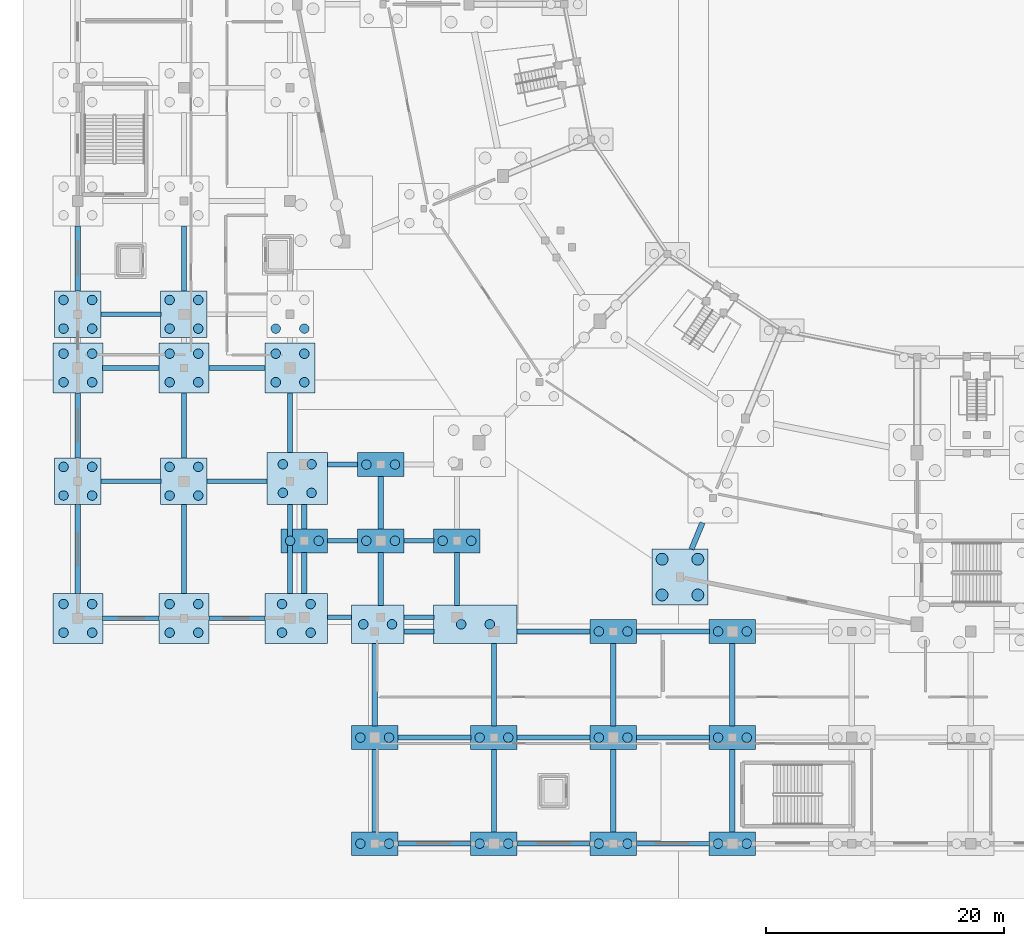
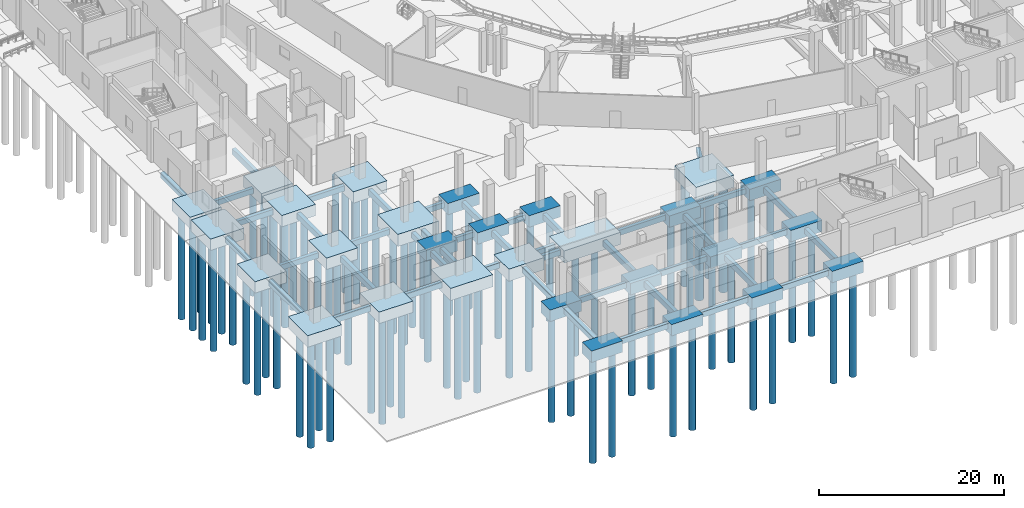
# One storey, part 1 of 68: 82 piles, 71 footings.
"""IFC4 building model written with IfcOpenShell, lengths in metres."""

from ifc_helpers import new_model, si_unit, direction, frame, origin, origin_2d, place, context, subcontext, project, spatial, rectangle, circle, extrude, material, material_profile, profile_set, type_object, element, save


model = new_model("IFC4")

# Units and contexts
model_context = context("Model", 3, precision=1e-05, world=origin(), true_north=direction((0.0, 1.0)))
body_context = subcontext(model_context, "Body", "Model", "MODEL_VIEW")
ifc_project = project(units=[si_unit("LENGTHUNIT", "METRE"), si_unit("AREAUNIT", "SQUARE_METRE"), si_unit("VOLUMEUNIT", "CUBIC_METRE"), si_unit("PLANEANGLEUNIT", "RADIAN"), si_unit("MASSUNIT", "GRAM", prefix="KILO")], contexts=[model_context])

# Site, building, storey
site_placement = place(None, origin())
site = spatial("IfcSite", under=ifc_project, at=site_placement, CompositionType="ELEMENT")
building_placement = place(site_placement, origin())
building = spatial("IfcBuilding", under=site, at=building_placement, Name="Candeia Ridge Stadium", CompositionType="ELEMENT")
storey_placement = place(building_placement, origin())
storey = spatial("IfcBuildingStorey", under=building, at=storey_placement, Name="L00", CompositionType="ELEMENT", Elevation=0.0)

# Piles
ifc_material = material(Name="Concrete C40/50", Category="concrete")
ifc_material_profile_1 = material_profile(ifc_material, circle(Radius=0.5, at=origin_2d()), Name="PILE-D1000", Category="concrete")
ifc_profile_set_1 = profile_set([ifc_material_profile_1], Name="Concrete C40/50")
pile_type_1 = type_object("IfcPileType", Name="Bored Concrete Pile D1000", PredefinedType="BORED", material=ifc_profile_set_1)
for number, where, z_axis, x_axis, name in (
    (1, (49.6005859375, 21.458251953125, -1.39990234375), (0.0, 0.0, -1.0), (1.0, 0.0, 0.0), "Bored concrete foundation pile PILE-0241"),
    (2, (52.6005859375, 21.458251953125, -1.39990234375), (0.0, 0.0, -1.0), (1.0, 0.0, 0.0), "Bored concrete foundation pile PILE-0242"),
    (3, (49.6005859375, 24.458251953125, -1.39990234375), (0.0, 0.0, -1.0), (1.0, 0.0, 0.0), "Bored concrete foundation pile PILE-0243"),
    (4, (52.6005859375, 24.458251953125, -1.39990234375), (0.0, 0.0, -1.0), (1.0, 0.0, 0.0), "Bored concrete foundation pile PILE-0244"),
):
    element("IfcPile", number, at=place(storey_placement, frame(where, z_axis=z_axis, x_axis=x_axis)), inside=storey, type_object=pile_type_1, Name=name, PredefinedType="BORED", context=body_context, shape_type="SweptSolid", body=[
        extrude(circle(Radius=0.5, at=origin_2d()), origin(), (0.0, 0.0, 1.0), 14.0),
    ])
ifc_material_profile_2 = material_profile(ifc_material, circle(Radius=0.39990234375, at=origin_2d()), Name="PILE-D800", Category="concrete")
ifc_profile_set_2 = profile_set([ifc_material_profile_2], Name="Concrete C40/50")
pile_type_2 = type_object("IfcPileType", Name="Bored Concrete Pile D800", PredefinedType="BORED", material=ifc_profile_set_2)
for number, where, z_axis, x_axis, name in (
    (5, (-0.60009765625, 18.300048828125, -1.39990234375), (0.0, 0.0, -1.0), (1.0, 0.0, 0.0), "Bored concrete foundation pile PILE-0493"),
    (6, (1.800048828125, 18.300048828125, -1.39990234375), (0.0, 0.0, -1.0), (1.0, 0.0, 0.0), "Bored concrete foundation pile PILE-0494"),
    (7, (-0.60009765625, 20.699951171875, -1.39990234375), (0.0, 0.0, -1.0), (1.0, 0.0, 0.0), "Bored concrete foundation pile PILE-0495"),
    (8, (1.800048828125, 20.699951171875, -1.39990234375), (0.0, 0.0, -1.0), (1.0, 0.0, 0.0), "Bored concrete foundation pile PILE-0496"),
    (9, (-0.60009765625, 29.800048828125, -1.39990234375), (0.0, 0.0, -1.0), (1.0, 0.0, 0.0), "Bored concrete foundation pile PILE-0497"),
    (10, (1.800048828125, 29.800048828125, -1.39990234375), (0.0, 0.0, -1.0), (1.0, 0.0, 0.0), "Bored concrete foundation pile PILE-0498"),
    (11, (-0.60009765625, 32.199951171875, -1.39990234375), (0.0, 0.0, -1.0), (1.0, 0.0, 0.0), "Bored concrete foundation pile PILE-0499"),
    (12, (1.800048828125, 32.199951171875, -1.39990234375), (0.0, 0.0, -1.0), (1.0, 0.0, 0.0), "Bored concrete foundation pile PILE-0500"),
    (13, (-0.60009765625, 39.300048828125, -1.39990234375), (0.0, 0.0, -1.0), (1.0, 0.0, 0.0), "Bored concrete foundation pile PILE-0501"),
    (14, (1.800048828125, 39.300048828125, -1.39990234375), (0.0, 0.0, -1.0), (1.0, 0.0, 0.0), "Bored concrete foundation pile PILE-0502"),
    (15, (-0.60009765625, 41.699951171875, -1.39990234375), (0.0, 0.0, -1.0), (1.0, 0.0, 0.0), "Bored concrete foundation pile PILE-0503"),
    (16, (1.800048828125, 41.699951171875, -1.39990234375), (0.0, 0.0, -1.0), (1.0, 0.0, 0.0), "Bored concrete foundation pile PILE-0504"),
    (17, (-0.60009765625, 43.800048828125, -1.39990234375), (0.0, 0.0, -1.0), (1.0, 0.0, 0.0), "Bored concrete foundation pile PILE-0505"),
    (18, (1.800048828125, 43.800048828125, -1.39990234375), (0.0, 0.0, -1.0), (1.0, 0.0, 0.0), "Bored concrete foundation pile PILE-0506"),
    (19, (-0.60009765625, 46.199951171875, -1.39990234375), (0.0, 0.0, -1.0), (1.0, 0.0, 0.0), "Bored concrete foundation pile PILE-0507"),
    (20, (1.800048828125, 46.199951171875, -1.39990234375), (0.0, 0.0, -1.0), (1.0, 0.0, 0.0), "Bored concrete foundation pile PILE-0508"),
    (21, (8.300048828125, 18.300048828125, -1.39990234375), (0.0, 0.0, -1.0), (1.0, 0.0, 0.0), "Bored concrete foundation pile PILE-0553"),
    (22, (10.699951171875, 18.300048828125, -1.39990234375), (0.0, 0.0, -1.0), (1.0, 0.0, 0.0), "Bored concrete foundation pile PILE-0554"),
    (23, (8.300048828125, 20.699951171875, -1.39990234375), (0.0, 0.0, -1.0), (1.0, 0.0, 0.0), "Bored concrete foundation pile PILE-0555"),
    (24, (10.699951171875, 20.699951171875, -1.39990234375), (0.0, 0.0, -1.0), (1.0, 0.0, 0.0), "Bored concrete foundation pile PILE-0556"),
    (25, (8.300048828125, 29.800048828125, -1.39990234375), (0.0, 0.0, -1.0), (1.0, 0.0, 0.0), "Bored concrete foundation pile PILE-0557"),
    (26, (10.699951171875, 29.800048828125, -1.39990234375), (0.0, 0.0, -1.0), (1.0, 0.0, 0.0), "Bored concrete foundation pile PILE-0558"),
    (27, (8.300048828125, 32.199951171875, -1.39990234375), (0.0, 0.0, -1.0), (1.0, 0.0, 0.0), "Bored concrete foundation pile PILE-0559"),
    (28, (10.699951171875, 32.199951171875, -1.39990234375), (0.0, 0.0, -1.0), (1.0, 0.0, 0.0), "Bored concrete foundation pile PILE-0560"),
    (29, (8.300048828125, 39.300048828125, -1.39990234375), (0.0, 0.0, -1.0), (1.0, 0.0, 0.0), "Bored concrete foundation pile PILE-0561"),
    (30, (10.699951171875, 39.300048828125, -1.39990234375), (0.0, 0.0, -1.0), (1.0, 0.0, 0.0), "Bored concrete foundation pile PILE-0562"),
    (31, (8.300048828125, 41.699951171875, -1.39990234375), (0.0, 0.0, -1.0), (1.0, 0.0, 0.0), "Bored concrete foundation pile PILE-0563"),
    (32, (10.699951171875, 41.699951171875, -1.39990234375), (0.0, 0.0, -1.0), (1.0, 0.0, 0.0), "Bored concrete foundation pile PILE-0564"),
    (33, (8.300048828125, 43.800048828125, -1.39990234375), (0.0, 0.0, -1.0), (1.0, 0.0, 0.0), "Bored concrete foundation pile PILE-0565"),
    (34, (10.699951171875, 43.800048828125, -1.39990234375), (0.0, 0.0, -1.0), (1.0, 0.0, 0.0), "Bored concrete foundation pile PILE-0566"),
    (35, (8.300048828125, 46.199951171875, -1.39990234375), (0.0, 0.0, -1.0), (1.0, 0.0, 0.0), "Bored concrete foundation pile PILE-0567"),
    (36, (10.699951171875, 46.199951171875, -1.39990234375), (0.0, 0.0, -1.0), (1.0, 0.0, 0.0), "Bored concrete foundation pile PILE-0568"),
    (37, (17.72509765625, 18.300048828125, -1.39990234375), (0.0, 0.0, -1.0), (1.0, 0.0, 0.0), "Bored concrete foundation pile PILE-0613"),
    (38, (20.125, 18.300048828125, -1.39990234375), (0.0, 0.0, -1.0), (1.0, 0.0, 0.0), "Bored concrete foundation pile PILE-0614"),
    (39, (17.72509765625, 20.699951171875, -1.39990234375), (0.0, 0.0, -1.0), (1.0, 0.0, 0.0), "Bored concrete foundation pile PILE-0615"),
    (40, (20.125, 20.699951171875, -1.39990234375), (0.0, 0.0, -1.0), (1.0, 0.0, 0.0), "Bored concrete foundation pile PILE-0616"),
    (41, (17.800048828125, 30.02490234375, -1.39990234375), (0.0, 0.0, -1.0), (1.0, 0.0, 0.0), "Bored concrete foundation pile PILE-0617"),
    (42, (20.199951171875, 30.02490234375, -1.39990234375), (0.0, 0.0, -1.0), (1.0, 0.0, 0.0), "Bored concrete foundation pile PILE-0618"),
    (43, (17.800048828125, 32.425048828125, -1.39990234375), (0.0, 0.0, -1.0), (1.0, 0.0, 0.0), "Bored concrete foundation pile PILE-0619"),
    (44, (20.199951171875, 32.425048828125, -1.39990234375), (0.0, 0.0, -1.0), (1.0, 0.0, 0.0), "Bored concrete foundation pile PILE-0620"),
    (45, (17.199951171875, 39.300048828125, -1.39990234375), (0.0, 0.0, -1.0), (1.0, 0.0, 0.0), "Bored concrete foundation pile PILE-0621"),
    (46, (19.60009765625, 39.300048828125, -1.39990234375), (0.0, 0.0, -1.0), (1.0, 0.0, 0.0), "Bored concrete foundation pile PILE-0622"),
    (47, (17.199951171875, 41.699951171875, -1.39990234375), (0.0, 0.0, -1.0), (1.0, 0.0, 0.0), "Bored concrete foundation pile PILE-0623"),
    (48, (19.60009765625, 41.699951171875, -1.39990234375), (0.0, 0.0, -1.0), (1.0, 0.0, 0.0), "Bored concrete foundation pile PILE-0624"),
    (49, (17.199951171875, 43.800048828125, -1.39990234375), (0.0, 0.0, -1.0), (1.0, 0.0, 0.0), "Bored concrete foundation pile PILE-0625"),
    (50, (19.60009765625, 43.800048828125, -1.39990234375), (0.0, 0.0, -1.0), (1.0, 0.0, 0.0), "Bored concrete foundation pile PILE-0626"),
    (51, (24.300048828125, 0.60009765625, -1.39990234375), (0.0, 0.0, -1.0), (1.0, 0.0, 0.0), "Bored concrete foundation pile PILE-0721"),
    (52, (26.699951171875, 0.60009765625, -1.39990234375), (0.0, 0.0, -1.0), (1.0, 0.0, 0.0), "Bored concrete foundation pile PILE-0722"),
    (53, (24.300048828125, 9.5, -1.39990234375), (0.0, 0.0, -1.0), (1.0, 0.0, 0.0), "Bored concrete foundation pile PILE-0723"),
    (54, (26.699951171875, 9.5, -1.39990234375), (0.0, 0.0, -1.0), (1.0, 0.0, 0.0), "Bored concrete foundation pile PILE-0724"),
    (55, (24.550048828125, 19.0, -1.39990234375), (0.0, 0.0, -1.0), (1.0, 0.0, 0.0), "Bored concrete foundation pile PILE-0725"),
    (56, (26.949951171875, 19.0, -1.39990234375), (0.0, 0.0, -1.0), (1.0, 0.0, 0.0), "Bored concrete foundation pile PILE-0726"),
    (57, (34.300048828125, 0.60009765625, -1.39990234375), (0.0, 0.0, -1.0), (1.0, 0.0, 0.0), "Bored concrete foundation pile PILE-0727"),
    (58, (36.699951171875, 0.60009765625, -1.39990234375), (0.0, 0.0, -1.0), (1.0, 0.0, 0.0), "Bored concrete foundation pile PILE-0728"),
    (59, (34.300048828125, 9.5, -1.39990234375), (0.0, 0.0, -1.0), (1.0, 0.0, 0.0), "Bored concrete foundation pile PILE-0729"),
    (60, (36.699951171875, 9.5, -1.39990234375), (0.0, 0.0, -1.0), (1.0, 0.0, 0.0), "Bored concrete foundation pile PILE-0730"),
    (61, (32.75, 19.0, -1.39990234375), (0.0, 0.0, -1.0), (1.0, 0.0, 0.0), "Bored concrete foundation pile PILE-0731"),
    (62, (35.14990234375, 19.0, -1.39990234375), (0.0, 0.0, -1.0), (1.0, 0.0, 0.0), "Bored concrete foundation pile PILE-0732"),
    (63, (44.300048828125, 0.60009765625, -1.39990234375), (0.0, 0.0, -1.0), (1.0, 0.0, 0.0), "Bored concrete foundation pile PILE-0733"),
    (64, (46.699951171875, 0.60009765625, -1.39990234375), (0.0, 0.0, -1.0), (1.0, 0.0, 0.0), "Bored concrete foundation pile PILE-0734"),
    (65, (44.300048828125, 9.5, -1.39990234375), (0.0, 0.0, -1.0), (1.0, 0.0, 0.0), "Bored concrete foundation pile PILE-0735"),
    (66, (46.699951171875, 9.5, -1.39990234375), (0.0, 0.0, -1.0), (1.0, 0.0, 0.0), "Bored concrete foundation pile PILE-0736"),
    (67, (44.300048828125, 18.39990234375, -1.39990234375), (0.0, 0.0, -1.0), (1.0, 0.0, 0.0), "Bored concrete foundation pile PILE-0737"),
    (68, (46.699951171875, 18.39990234375, -1.39990234375), (0.0, 0.0, -1.0), (1.0, 0.0, 0.0), "Bored concrete foundation pile PILE-0738"),
    (69, (54.300048828125, 0.60009765625, -1.39990234375), (0.0, 0.0, -1.0), (1.0, 0.0, 0.0), "Bored concrete foundation pile PILE-0739"),
    (70, (56.699951171875, 0.60009765625, -1.39990234375), (0.0, 0.0, -1.0), (1.0, 0.0, 0.0), "Bored concrete foundation pile PILE-0740"),
    (71, (54.300048828125, 9.5, -1.39990234375), (0.0, 0.0, -1.0), (1.0, 0.0, 0.0), "Bored concrete foundation pile PILE-0741"),
    (72, (56.699951171875, 9.5, -1.39990234375), (0.0, 0.0, -1.0), (1.0, 0.0, 0.0), "Bored concrete foundation pile PILE-0742"),
    (73, (54.300048828125, 18.39990234375, -1.39990234375), (0.0, 0.0, -1.0), (1.0, 0.0, 0.0), "Bored concrete foundation pile PILE-0743"),
    (74, (56.699951171875, 18.39990234375, -1.39990234375), (0.0, 0.0, -1.0), (1.0, 0.0, 0.0), "Bored concrete foundation pile PILE-0744"),
    (75, (18.39990234375, 26.0, -1.39990234375), (0.0, 0.0, -1.0), (1.0, 0.0, 0.0), "Bored concrete foundation pile PILE-0899"),
    (76, (20.800048828125, 26.0, -1.39990234375), (0.0, 0.0, -1.0), (1.0, 0.0, 0.0), "Bored concrete foundation pile PILE-0900"),
    (77, (24.800048828125, 26.0, -1.39990234375), (0.0, 0.0, -1.0), (1.0, 0.0, 0.0), "Bored concrete foundation pile PILE-0901"),
    (78, (27.199951171875, 26.0, -1.39990234375), (0.0, 0.0, -1.0), (1.0, 0.0, 0.0), "Bored concrete foundation pile PILE-0902"),
    (79, (24.800048828125, 32.39990234375, -1.39990234375), (0.0, 0.0, -1.0), (1.0, 0.0, 0.0), "Bored concrete foundation pile PILE-0903"),
    (80, (27.199951171875, 32.39990234375, -1.39990234375), (0.0, 0.0, -1.0), (1.0, 0.0, 0.0), "Bored concrete foundation pile PILE-0904"),
    (81, (31.199951171875, 26.0, -1.39990234375), (0.0, 0.0, -1.0), (1.0, 0.0, 0.0), "Bored concrete foundation pile PILE-0905"),
    (82, (33.60009765625, 26.0, -1.39990234375), (0.0, 0.0, -1.0), (1.0, 0.0, 0.0), "Bored concrete foundation pile PILE-0906"),
):
    element("IfcPile", number, at=place(storey_placement, frame(where, z_axis=z_axis, x_axis=x_axis)), inside=storey, type_object=pile_type_2, Name=name, PredefinedType="BORED", context=body_context, shape_type="SweptSolid", body=[
        extrude(circle(Radius=0.39990234375, at=origin_2d()), origin(), (0.0, 0.0, 1.0), 14.0),
    ])

# Footings
footing_type_1 = type_object("IfcFootingType", Name="Ground Tie Beam 400x700", PredefinedType="FOOTING_BEAM", material=ifc_material)
footing_1_placement = place(storey_placement, frame((5.050048828125, 19.5, -1.0498046875), z_axis=(0.0, 0.0, 1.0), x_axis=(1.0, 0.0, 0.0)))
element("IfcFooting", 83, at=footing_1_placement, inside=storey, type_object=footing_type_1, Name="Ground tie beam GTB-0161", PredefinedType="FOOTING_BEAM", context=body_context, shape_type="SweptSolid", body=[
    extrude(rectangle(XDim=4.719970703125, YDim=0.39990234375, at=origin_2d()), origin(), (0.0, 0.0, 1.0), 0.699951171875),
])
footing_2_placement = place(storey_placement, frame((5.050048828125, 31.0, -1.0498046875), z_axis=(0.0, 0.0, 1.0), x_axis=(1.0, 0.0, 0.0)))
element("IfcFooting", 84, at=footing_2_placement, inside=storey, type_object=footing_type_1, Name="Ground tie beam GTB-0163", PredefinedType="FOOTING_BEAM", context=body_context, shape_type="SweptSolid", body=[
    extrude(rectangle(XDim=5.02001953125, YDim=0.39990234375, at=origin_2d()), origin(), (0.0, 0.0, 1.0), 0.699951171875),
])
footing_3_placement = place(storey_placement, frame((5.050048828125, 40.5, -1.0498046875), z_axis=(0.0, 0.0, 1.0), x_axis=(1.0, 0.0, 0.0)))
element("IfcFooting", 85, at=footing_3_placement, inside=storey, type_object=footing_type_1, Name="Ground tie beam GTB-0165", PredefinedType="FOOTING_BEAM", context=body_context, shape_type="SweptSolid", body=[
    extrude(rectangle(XDim=4.719970703125, YDim=0.39990234375, at=origin_2d()), origin(), (0.0, 0.0, 1.0), 0.699951171875),
])
footing_4_placement = place(storey_placement, frame((5.050048828125, 45.0, -1.0498046875), z_axis=(0.0, 0.0, 1.0), x_axis=(1.0, 0.0, 0.0)))
element("IfcFooting", 86, at=footing_4_placement, inside=storey, type_object=footing_type_1, Name="Ground tie beam GTB-0167", PredefinedType="FOOTING_BEAM", context=body_context, shape_type="SweptSolid", body=[
    extrude(rectangle(XDim=5.02001953125, YDim=0.39990234375, at=origin_2d()), origin(), (0.0, 0.0, 1.0), 0.699951171875),
])
footing_5_placement = place(storey_placement, frame((13.949951171875, 19.5, -1.0498046875), z_axis=(0.0, 0.0, 1.0), x_axis=(1.0, 0.0, 0.0)))
element("IfcFooting", 87, at=footing_5_placement, inside=storey, type_object=footing_type_1, Name="Ground tie beam GTB-0190", PredefinedType="FOOTING_BEAM", context=body_context, shape_type="SweptSolid", body=[
    extrude(rectangle(XDim=4.719970703125, YDim=0.39990234375, at=origin_2d()), origin(), (0.0, 0.0, 1.0), 0.699951171875),
])
footing_6_placement = place(storey_placement, frame((13.949951171875, 31.0, -1.0498046875), z_axis=(0.0, 0.0, 1.0), x_axis=(1.0, 0.0, 0.0)))
element("IfcFooting", 88, at=footing_6_placement, inside=storey, type_object=footing_type_1, Name="Ground tie beam GTB-0192", PredefinedType="FOOTING_BEAM", context=body_context, shape_type="SweptSolid", body=[
    extrude(rectangle(XDim=5.02001953125, YDim=0.39990234375, at=origin_2d()), origin(), (0.0, 0.0, 1.0), 0.699951171875),
])
footing_7_placement = place(storey_placement, frame((13.949951171875, 40.5, -1.0498046875), z_axis=(0.0, 0.0, 1.0), x_axis=(1.0, 0.0, 0.0)))
element("IfcFooting", 89, at=footing_7_placement, inside=storey, type_object=footing_type_1, Name="Ground tie beam GTB-0194", PredefinedType="FOOTING_BEAM", context=body_context, shape_type="SweptSolid", body=[
    extrude(rectangle(XDim=4.719970703125, YDim=0.39990234375, at=origin_2d()), origin(), (0.0, 0.0, 1.0), 0.699951171875),
])
for number, where, z_axis, x_axis, name in (
    (90, (30.5, 0.60009765625, -1.0498046875), (0.0, 0.0, 1.0), (1.0, 0.0, 0.0), "Ground tie beam GTB-0290"),
    (91, (30.5, 9.5, -1.0498046875), (0.0, 0.0, 1.0), (1.0, 0.0, 0.0), "Ground tie beam GTB-0292"),
):
    element("IfcFooting", number, at=place(storey_placement, frame(where, z_axis=z_axis, x_axis=x_axis)), inside=storey, type_object=footing_type_1, Name=name, PredefinedType="FOOTING_BEAM", context=body_context, shape_type="SweptSolid", body=[
        extrude(rectangle(XDim=6.1201171875, YDim=0.39990234375, at=origin_2d()), origin(), (0.0, 0.0, 1.0), 0.699951171875),
    ])
footing_8_placement = place(storey_placement, frame((29.199951171875, 18.39990234375, -1.0498046875), z_axis=(0.0, 0.0, 1.0), x_axis=(1.0, 0.0, 0.0)))
element("IfcFooting", 92, at=footing_8_placement, inside=storey, type_object=footing_type_1, Name="Ground tie beam GTB-0293", PredefinedType="FOOTING_BEAM", context=body_context, shape_type="SweptSolid", body=[
    extrude(rectangle(XDim=2.52001953125, YDim=0.39990234375, at=origin_2d()), origin(), (0.0, 0.0, 1.0), 0.699951171875),
])
for number, where, z_axis, x_axis, name in (
    (93, (40.5, 0.60009765625, -1.0498046875), (0.0, 0.0, 1.0), (1.0, 0.0, 0.0), "Ground tie beam GTB-0295"),
    (94, (40.5, 9.5, -1.0498046875), (0.0, 0.0, 1.0), (1.0, 0.0, 0.0), "Ground tie beam GTB-0297"),
    (95, (40.5, 18.39990234375, -1.0498046875), (0.0, 0.0, 1.0), (1.0, 0.0, 0.0), "Ground tie beam GTB-0298"),
    (96, (50.5, 0.60009765625, -1.0498046875), (0.0, 0.0, 1.0), (1.0, 0.0, 0.0), "Ground tie beam GTB-0300"),
    (97, (50.5, 9.5, -1.0498046875), (0.0, 0.0, 1.0), (1.0, 0.0, 0.0), "Ground tie beam GTB-0302"),
    (98, (50.5, 18.39990234375, -1.0498046875), (0.0, 0.0, 1.0), (1.0, 0.0, 0.0), "Ground tie beam GTB-0303"),
):
    element("IfcFooting", number, at=place(storey_placement, frame(where, z_axis=z_axis, x_axis=x_axis)), inside=storey, type_object=footing_type_1, Name=name, PredefinedType="FOOTING_BEAM", context=body_context, shape_type="SweptSolid", body=[
        extrude(rectangle(XDim=6.1201171875, YDim=0.39990234375, at=origin_2d()), origin(), (0.0, 0.0, 1.0), 0.699951171875),
    ])
footing_9_placement = place(storey_placement, frame((22.550048828125, 19.60009765625, -1.0498046875), z_axis=(0.0, 0.0, 1.0), x_axis=(1.0, 0.0, 0.0)))
element("IfcFooting", 99, at=footing_9_placement, inside=storey, type_object=footing_type_1, Name="Ground tie beam GTB-0450", PredefinedType="FOOTING_BEAM", context=body_context, shape_type="SweptSolid", body=[
    extrude(rectangle(XDim=2.02001953125, YDim=0.39990234375, at=origin_2d()), origin(), (0.0, 0.0, 1.0), 0.699951171875),
])
for number, where, z_axis, x_axis, name in (
    (100, (22.800048828125, 26.0, -1.0498046875), (0.0, 0.0, 1.0), (1.0, 0.0, 0.0), "Ground tie beam GTB-0452"),
    (101, (22.800048828125, 32.39990234375, -1.0498046875), (0.0, 0.0, 1.0), (1.0, 0.0, 0.0), "Ground tie beam GTB-0453"),
    (102, (29.199951171875, 19.60009765625, -1.0498046875), (0.0, 0.0, 1.0), (1.0, 0.0, 0.0), "Ground tie beam GTB-0455"),
    (103, (29.199951171875, 26.0, -1.0498046875), (0.0, 0.0, 1.0), (1.0, 0.0, 0.0), "Ground tie beam GTB-0457"),
):
    element("IfcFooting", number, at=place(storey_placement, frame(where, z_axis=z_axis, x_axis=x_axis)), inside=storey, type_object=footing_type_1, Name=name, PredefinedType="FOOTING_BEAM", context=body_context, shape_type="SweptSolid", body=[
        extrude(rectangle(XDim=2.52001953125, YDim=0.39990234375, at=origin_2d()), origin(), (0.0, 0.0, 1.0), 0.699951171875),
    ])
footing_type_2 = type_object("IfcFootingType", Name="Ground Tie Beam 450x750", PredefinedType="FOOTING_BEAM", material=ifc_material)
footing_10_placement = place(storey_placement, frame((52.52978515625, 26.4091796875, -1.074951171875), z_axis=(0.0, 0.0, 1.0), x_axis=(-0.382711917213, -0.923867733186, 0.0)))
element("IfcFooting", 104, at=footing_10_placement, inside=storey, type_object=footing_type_2, Name="Ground tie beam GTB-0079", PredefinedType="FOOTING_BEAM", context=body_context, shape_type="SweptSolid", body=[
    extrude(rectangle(XDim=2.4033203125, YDim=0.449951171875, at=origin_2d()), origin(), (0.0, 0.0, 1.0), 0.75),
])
footing_11_placement = place(storey_placement, frame((0.60009765625, 25.324951171875, -1.074951171875), z_axis=(0.0, 0.0, 1.0), x_axis=(0.0, 1.0, 0.0)))
element("IfcFooting", 105, at=footing_11_placement, inside=storey, type_object=footing_type_2, Name="Ground tie beam GTB-0160", PredefinedType="FOOTING_BEAM", context=body_context, shape_type="SweptSolid", body=[
    extrude(rectangle(XDim=7.469970703125, YDim=0.449951171875, at=origin_2d()), origin(), (0.0, 0.0, 1.0), 0.75),
])
for number, where, z_axis, x_axis, name in (
    (106, (0.60009765625, 35.675048828125, -1.074951171875), (0.0, 0.0, 1.0), (0.0, 1.0, 0.0), "Ground tie beam GTB-0162"),
    (107, (0.60009765625, 49.675048828125, -1.074951171875), (0.0, 0.0, 1.0), (0.0, 1.0, 0.0), "Ground tie beam GTB-0166"),
):
    element("IfcFooting", number, at=place(storey_placement, frame(where, z_axis=z_axis, x_axis=x_axis)), inside=storey, type_object=footing_type_2, Name=name, PredefinedType="FOOTING_BEAM", context=body_context, shape_type="SweptSolid", body=[
        extrude(rectangle(XDim=5.469970703125, YDim=0.449951171875, at=origin_2d()), origin(), (0.0, 0.0, 1.0), 0.75),
    ])
footing_12_placement = place(storey_placement, frame((9.5, 25.324951171875, -1.074951171875), z_axis=(0.0, 0.0, 1.0), x_axis=(0.0, 1.0, 0.0)))
element("IfcFooting", 108, at=footing_12_placement, inside=storey, type_object=footing_type_2, Name="Ground tie beam GTB-0189", PredefinedType="FOOTING_BEAM", context=body_context, shape_type="SweptSolid", body=[
    extrude(rectangle(XDim=7.469970703125, YDim=0.449951171875, at=origin_2d()), origin(), (0.0, 0.0, 1.0), 0.75),
])
for number, where, z_axis, x_axis, name in (
    (109, (9.5, 35.675048828125, -1.074951171875), (0.0, 0.0, 1.0), (0.0, 1.0, 0.0), "Ground tie beam GTB-0191"),
    (110, (9.5, 49.675048828125, -1.074951171875), (0.0, 0.0, 1.0), (0.0, 1.0, 0.0), "Ground tie beam GTB-0195"),
):
    element("IfcFooting", number, at=place(storey_placement, frame(where, z_axis=z_axis, x_axis=x_axis)), inside=storey, type_object=footing_type_2, Name=name, PredefinedType="FOOTING_BEAM", context=body_context, shape_type="SweptSolid", body=[
        extrude(rectangle(XDim=5.469970703125, YDim=0.449951171875, at=origin_2d()), origin(), (0.0, 0.0, 1.0), 0.75),
    ])
footing_13_placement = place(storey_placement, frame((18.39990234375, 25.324951171875, -1.074951171875), z_axis=(0.0, 0.0, 1.0), x_axis=(0.0, 1.0, 0.0)))
element("IfcFooting", 111, at=footing_13_placement, inside=storey, type_object=footing_type_2, Name="Ground tie beam GTB-0218", PredefinedType="FOOTING_BEAM", context=body_context, shape_type="SweptSolid", body=[
    extrude(rectangle(XDim=7.469970703125, YDim=0.449951171875, at=origin_2d()), origin(), (0.0, 0.0, 1.0), 0.75),
])
footing_14_placement = place(storey_placement, frame((18.39990234375, 35.89990234375, -1.074951171875), z_axis=(0.0, 0.0, 1.0), x_axis=(0.0, 1.0, 0.0)))
element("IfcFooting", 112, at=footing_14_placement, inside=storey, type_object=footing_type_2, Name="Ground tie beam GTB-0219", PredefinedType="FOOTING_BEAM", context=body_context, shape_type="SweptSolid", body=[
    extrude(rectangle(XDim=5.02001953125, YDim=0.449951171875, at=origin_2d()), origin(), (0.0, 0.0, 1.0), 0.75),
])
for number, where, z_axis, x_axis, name in (
    (113, (25.5, 5.050048828125, -1.074951171875), (0.0, 0.0, 1.0), (0.0, 1.0, 0.0), "Ground tie beam GTB-0289"),
    (114, (25.5, 13.949951171875, -1.074951171875), (0.0, 0.0, 1.0), (0.0, 1.0, 0.0), "Ground tie beam GTB-0291"),
    (115, (35.5, 5.050048828125, -1.074951171875), (0.0, 0.0, 1.0), (0.0, 1.0, 0.0), "Ground tie beam GTB-0294"),
    (116, (35.5, 13.949951171875, -1.074951171875), (0.0, 0.0, 1.0), (0.0, 1.0, 0.0), "Ground tie beam GTB-0296"),
    (117, (45.5, 5.050048828125, -1.074951171875), (0.0, 0.0, 1.0), (0.0, 1.0, 0.0), "Ground tie beam GTB-0299"),
    (118, (45.5, 13.949951171875, -1.074951171875), (0.0, 0.0, 1.0), (0.0, 1.0, 0.0), "Ground tie beam GTB-0301"),
    (119, (55.5, 5.050048828125, -1.074951171875), (0.0, 0.0, 1.0), (0.0, 1.0, 0.0), "Ground tie beam GTB-0304"),
    (120, (55.5, 13.949951171875, -1.074951171875), (0.0, 0.0, 1.0), (0.0, 1.0, 0.0), "Ground tie beam GTB-0306"),
):
    element("IfcFooting", number, at=place(storey_placement, frame(where, z_axis=z_axis, x_axis=x_axis)), inside=storey, type_object=footing_type_2, Name=name, PredefinedType="FOOTING_BEAM", context=body_context, shape_type="SweptSolid", body=[
        extrude(rectangle(XDim=6.919921875, YDim=0.449951171875, at=origin_2d()), origin(), (0.0, 0.0, 1.0), 0.75),
    ])
footing_15_placement = place(storey_placement, frame((19.60009765625, 23.300048828125, -1.074951171875), z_axis=(0.0, 0.0, 1.0), x_axis=(0.0, 1.0, 0.0)))
element("IfcFooting", 121, at=footing_15_placement, inside=storey, type_object=footing_type_2, Name="Ground tie beam GTB-0449", PredefinedType="FOOTING_BEAM", context=body_context, shape_type="SweptSolid", body=[
    extrude(rectangle(XDim=3.419921875, YDim=0.449951171875, at=origin_2d()), origin(), (0.0, 0.0, 1.0), 0.75),
])
footing_16_placement = place(storey_placement, frame((19.60009765625, 28.02490234375, -1.074951171875), z_axis=(0.0, 0.0, 1.0), x_axis=(0.0, 1.0, 0.0)))
element("IfcFooting", 122, at=footing_16_placement, inside=storey, type_object=footing_type_2, Name="Ground tie beam GTB-0451", PredefinedType="FOOTING_BEAM", context=body_context, shape_type="SweptSolid", body=[
    extrude(rectangle(XDim=2.070068359375, YDim=0.449951171875, at=origin_2d()), origin(), (0.0, 0.0, 1.0), 0.75),
])
for number, where, z_axis, x_axis, name in (
    (123, (26.0, 22.800048828125, -1.074951171875), (0.0, 0.0, 1.0), (0.0, 1.0, 0.0), "Ground tie beam GTB-0454"),
    (124, (26.0, 29.199951171875, -1.074951171875), (0.0, 0.0, 1.0), (0.0, 1.0, 0.0), "Ground tie beam GTB-0456"),
    (125, (32.39990234375, 22.800048828125, -1.074951171875), (0.0, 0.0, 1.0), (0.0, 1.0, 0.0), "Ground tie beam GTB-0459"),
):
    element("IfcFooting", number, at=place(storey_placement, frame(where, z_axis=z_axis, x_axis=x_axis)), inside=storey, type_object=footing_type_2, Name=name, PredefinedType="FOOTING_BEAM", context=body_context, shape_type="SweptSolid", body=[
        extrude(rectangle(XDim=4.419921875, YDim=0.449951171875, at=origin_2d()), origin(), (0.0, 0.0, 1.0), 0.75),
    ])
footing_type_3 = type_object("IfcFootingType", Name="Pile Cap 3900x2000x1500", PredefinedType="PILE_CAP", material=ifc_material)
for number, where, z_axis, x_axis, name in (
    (126, (25.5, 0.60009765625, -1.5), (0.0, 0.0, 1.0), (1.0, 0.0, 0.0), "Reinforced concrete pile cap CAP-216"),
    (127, (25.5, 9.5, -1.5), (0.0, 0.0, 1.0), (1.0, 0.0, 0.0), "Reinforced concrete pile cap CAP-217"),
    (128, (35.5, 0.60009765625, -1.5), (0.0, 0.0, 1.0), (1.0, 0.0, 0.0), "Reinforced concrete pile cap CAP-219"),
    (129, (35.5, 9.5, -1.5), (0.0, 0.0, 1.0), (1.0, 0.0, 0.0), "Reinforced concrete pile cap CAP-220"),
    (130, (45.5, 0.60009765625, -1.5), (0.0, 0.0, 1.0), (1.0, 0.0, 0.0), "Reinforced concrete pile cap CAP-222"),
    (131, (45.5, 9.5, -1.5), (0.0, 0.0, 1.0), (1.0, 0.0, 0.0), "Reinforced concrete pile cap CAP-223"),
    (132, (45.5, 18.39990234375, -1.5), (0.0, 0.0, 1.0), (1.0, 0.0, 0.0), "Reinforced concrete pile cap CAP-224"),
    (133, (55.5, 0.60009765625, -1.5), (0.0, 0.0, 1.0), (1.0, 0.0, 0.0), "Reinforced concrete pile cap CAP-225"),
    (134, (55.5, 9.5, -1.5), (0.0, 0.0, 1.0), (1.0, 0.0, 0.0), "Reinforced concrete pile cap CAP-226"),
    (135, (55.5, 18.39990234375, -1.5), (0.0, 0.0, 1.0), (1.0, 0.0, 0.0), "Reinforced concrete pile cap CAP-227"),
    (136, (19.60009765625, 26.0, -1.5), (0.0, 0.0, 1.0), (1.0, 0.0, 0.0), "Reinforced concrete pile cap CAP-305"),
    (137, (26.0, 26.0, -1.5), (0.0, 0.0, 1.0), (1.0, 0.0, 0.0), "Reinforced concrete pile cap CAP-306"),
    (138, (26.0, 32.39990234375, -1.5), (0.0, 0.0, 1.0), (1.0, 0.0, 0.0), "Reinforced concrete pile cap CAP-307"),
    (139, (32.39990234375, 26.0, -1.5), (0.0, 0.0, 1.0), (1.0, 0.0, 0.0), "Reinforced concrete pile cap CAP-308"),
):
    element("IfcFooting", number, at=place(storey_placement, frame(where, z_axis=z_axis, x_axis=x_axis)), inside=storey, type_object=footing_type_3, Name=name, PredefinedType="PILE_CAP", context=body_context, shape_type="SweptSolid", body=[
        extrude(rectangle(XDim=3.89990234375, YDim=2.0, at=origin_2d()), origin(), (0.0, 0.0, 1.0), 1.5),
    ])
footing_type_4 = type_object("IfcFootingType", Name="Pile Cap 3900x3900x1500", PredefinedType="PILE_CAP", material=ifc_material)
for number, where, z_axis, x_axis, name in (
    (140, (0.60009765625, 31.0, -1.5), (0.0, 0.0, 1.0), (1.0, 0.0, 0.0), "Reinforced concrete pile cap CAP-143"),
    (141, (0.60009765625, 45.0, -1.5), (0.0, 0.0, 1.0), (1.0, 0.0, 0.0), "Reinforced concrete pile cap CAP-145"),
    (142, (9.5, 31.0, -1.5), (0.0, 0.0, 1.0), (1.0, 0.0, 0.0), "Reinforced concrete pile cap CAP-158"),
    (143, (9.5, 45.0, -1.5), (0.0, 0.0, 1.0), (1.0, 0.0, 0.0), "Reinforced concrete pile cap CAP-160"),
):
    element("IfcFooting", number, at=place(storey_placement, frame(where, z_axis=z_axis, x_axis=x_axis)), inside=storey, type_object=footing_type_4, Name=name, PredefinedType="PILE_CAP", context=body_context, shape_type="SweptSolid", body=[
        extrude(rectangle(XDim=3.89990234375, YDim=3.89990234375, at=origin_2d()), origin(), (0.0, 0.0, 1.0), 1.5),
    ])
footing_type_5 = type_object("IfcFootingType", Name="Pile Cap 4200x4200x1500", PredefinedType="PILE_CAP", material=ifc_material)
for number, where, z_axis, x_axis, name in (
    (144, (0.60009765625, 19.5, -1.5), (0.0, 0.0, 1.0), (1.0, 0.0, 0.0), "Reinforced concrete pile cap CAP-142"),
    (145, (0.60009765625, 40.5, -1.5), (0.0, 0.0, 1.0), (1.0, 0.0, 0.0), "Reinforced concrete pile cap CAP-144"),
    (146, (9.5, 19.5, -1.5), (0.0, 0.0, 1.0), (1.0, 0.0, 0.0), "Reinforced concrete pile cap CAP-157"),
    (147, (9.5, 40.5, -1.5), (0.0, 0.0, 1.0), (1.0, 0.0, 0.0), "Reinforced concrete pile cap CAP-159"),
    (148, (18.39990234375, 40.5, -1.5), (0.0, 0.0, 1.0), (1.0, 0.0, 0.0), "Reinforced concrete pile cap CAP-174"),
):
    element("IfcFooting", number, at=place(storey_placement, frame(where, z_axis=z_axis, x_axis=x_axis)), inside=storey, type_object=footing_type_5, Name=name, PredefinedType="PILE_CAP", context=body_context, shape_type="SweptSolid", body=[
        extrude(rectangle(XDim=4.199951171875, YDim=4.199951171875, at=origin_2d()), origin(), (0.0, 0.0, 1.0), 1.5),
    ])
footing_type_6 = type_object("IfcFootingType", Name="Pile Cap 4700x4700x1600", PredefinedType="PILE_CAP", material=ifc_material)
footing_17_placement = place(storey_placement, frame((51.100341796875, 22.958251953125, -1.60009765625), z_axis=(0.0, 0.0, 1.0), x_axis=(1.0, 0.0, 0.0)))
element("IfcFooting", 149, at=footing_17_placement, inside=storey, type_object=footing_type_6, Name="Reinforced concrete pile cap CAP-070", PredefinedType="PILE_CAP", context=body_context, shape_type="SweptSolid", body=[
    extrude(rectangle(XDim=4.699951171875, YDim=4.699951171875, at=origin_2d()), origin(), (0.0, 0.0, 1.0), 1.60009765625),
])
footing_type_7 = type_object("IfcFootingType", Name="Pile Cap 5400x4200x1600", PredefinedType="PILE_CAP", material=ifc_material)
footing_18_placement = place(storey_placement, frame((18.925048828125, 19.5, -1.60009765625), z_axis=(0.0, 0.0, 1.0), x_axis=(1.0, 0.0, 0.0)))
element("IfcFooting", 150, at=footing_18_placement, inside=storey, type_object=footing_type_7, Name="Reinforced concrete pile cap CAP-172", PredefinedType="PILE_CAP", context=body_context, shape_type="SweptSolid", body=[
    extrude(rectangle(XDim=5.25, YDim=4.199951171875, at=origin_2d()), origin(), (0.0, 0.0, 1.0), 1.60009765625),
])
footing_19_placement = place(storey_placement, frame((19.0, 31.22509765625, -1.60009765625), z_axis=(0.0, 0.0, 1.0), x_axis=(1.0, 0.0, 0.0)))
element("IfcFooting", 151, at=footing_19_placement, inside=storey, type_object=footing_type_7, Name="Reinforced concrete pile cap CAP-173", PredefinedType="PILE_CAP", context=body_context, shape_type="SweptSolid", body=[
    extrude(rectangle(XDim=5.10009765625, YDim=4.35009765625, at=origin_2d()), origin(), (0.0, 0.0, 1.0), 1.60009765625),
])
footing_20_placement = place(storey_placement, frame((25.75, 19.0, -1.60009765625), z_axis=(0.0, 0.0, 1.0), x_axis=(1.0, 0.0, 0.0)))
element("IfcFooting", 152, at=footing_20_placement, inside=storey, type_object=footing_type_7, Name="Reinforced concrete pile cap CAP-218", PredefinedType="PILE_CAP", context=body_context, shape_type="SweptSolid", body=[
    extrude(rectangle(XDim=4.39990234375, YDim=3.199951171875, at=origin_2d()), origin(), (0.0, 0.0, 1.0), 1.60009765625),
])
footing_type_8 = type_object("IfcFootingType", Name="Pile Cap 6200x4400x1600", PredefinedType="PILE_CAP", material=ifc_material)
footing_21_placement = place(storey_placement, frame((33.949951171875, 19.0, -1.60009765625), z_axis=(0.0, 0.0, 1.0), x_axis=(1.0, 0.0, 0.0)))
element("IfcFooting", 153, at=footing_21_placement, inside=storey, type_object=footing_type_8, Name="Reinforced concrete pile cap CAP-221", PredefinedType="PILE_CAP", context=body_context, shape_type="SweptSolid", body=[
    extrude(rectangle(XDim=7.0, YDim=3.199951171875, at=origin_2d()), origin(), (0.0, 0.0, 1.0), 1.60009765625),
])

save(model, "model.ifc")
